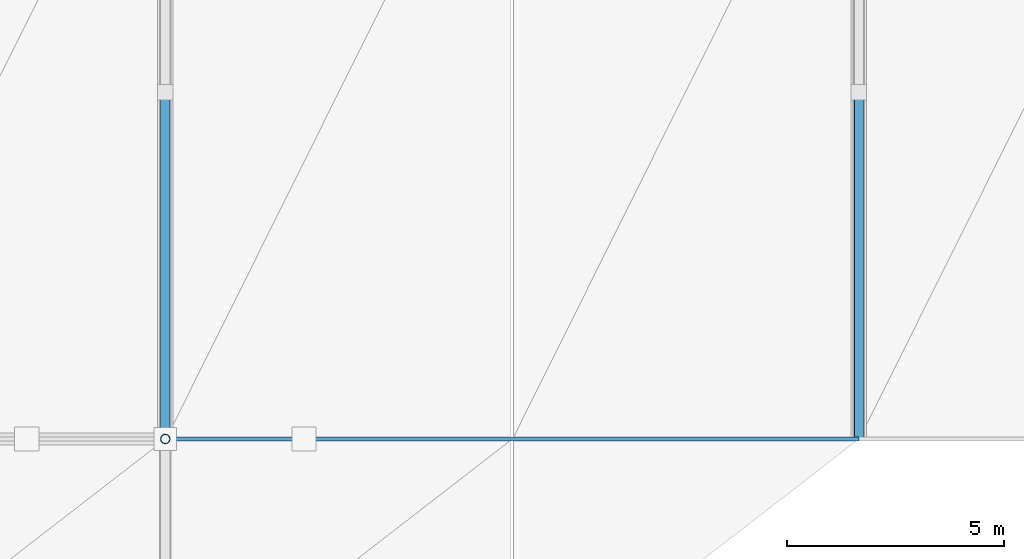
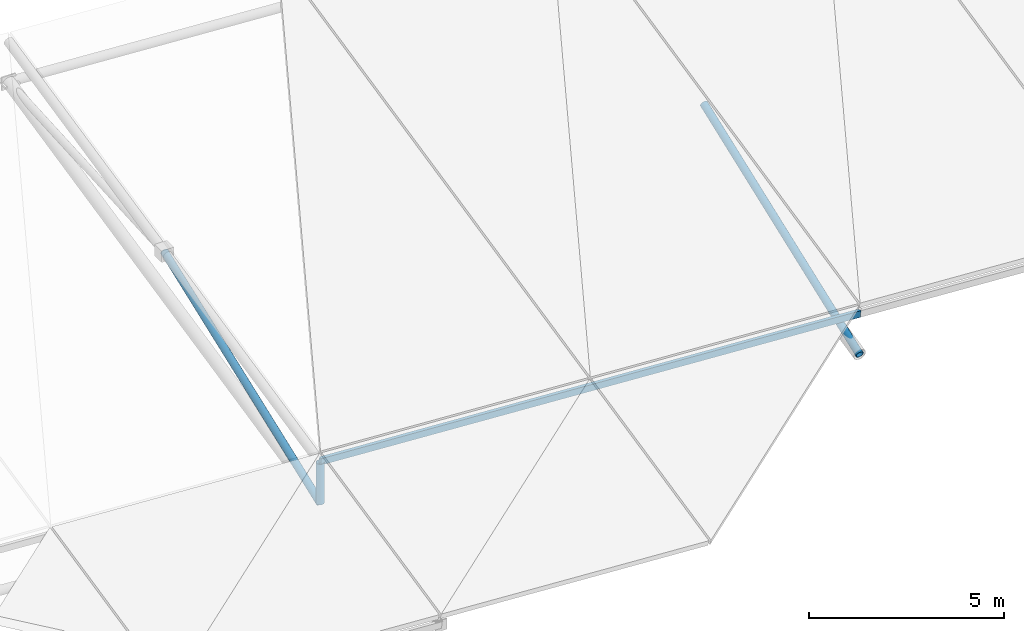
# One storey, part 27 of 67: 4 members.
"""IFC4 building model written with IfcOpenShell, lengths in metres."""

from ifc_helpers import new_model, si_unit, direction, frame, origin, origin_2d, place, context, subcontext, project, spatial, hollow_rectangle, hollow_circle, extrude, material, material_profile, profile_set, type_object, element, save


model = new_model("IFC4")

# Units and contexts
model_context = context("Model", 3, precision=1e-05, world=origin(), true_north=direction((0.0, 1.0)))
body_context = subcontext(model_context, "Body", "Model", "MODEL_VIEW")
ifc_project = project(units=[si_unit("LENGTHUNIT", "METRE"), si_unit("AREAUNIT", "SQUARE_METRE"), si_unit("VOLUMEUNIT", "CUBIC_METRE"), si_unit("PLANEANGLEUNIT", "RADIAN"), si_unit("MASSUNIT", "GRAM", prefix="KILO")], contexts=[model_context])

# Site, building, storey
site_placement = place(None, origin())
site = spatial("IfcSite", under=ifc_project, at=site_placement, CompositionType="ELEMENT")
building_placement = place(site_placement, origin())
building = spatial("IfcBuilding", under=site, at=building_placement, Name="Drelvath Fold Interchange", CompositionType="ELEMENT")
storey_placement = place(building_placement, frame((0.0, 0.0, 15.60009765625)))
storey = spatial("IfcBuildingStorey", under=building, at=storey_placement, Name="L03", CompositionType="ELEMENT", Elevation=15.60009765625)

# Members
ifc_material = material(Name="Steel ASTM A500 Grade C", Category="steel")
ifc_material_profile_1 = material_profile(ifc_material, hollow_rectangle(XDim=0.10205078125, YDim=0.202880859375, WallThickness=0.00732421875, at=origin_2d()), Name="HSS8X4X5/16")
ifc_profile_set_1 = profile_set([ifc_material_profile_1], Name="Steel ASTM A500 Grade C")
member_type_1 = type_object("IfcMemberType", Name="PR-HSS203", PredefinedType="PURLIN", material=ifc_profile_set_1)
member_1_placement = place(storey_placement, frame((134.0, 27.0, 1.476806640625), z_axis=(0.998194047838, 0.0, -0.060071980662), x_axis=(0.0, 1.0, 0.0)))
element("IfcMember", 1, at=member_1_placement, inside=storey, type_object=member_type_1, Name="L03 Space frame canopy purlin PR-HSS203", PredefinedType="PURLIN", context=body_context, shape_type="SweptSolid", body=[
    extrude(hollow_rectangle(XDim=0.10205078125, YDim=0.202880859375, WallThickness=0.00732421875, at=origin_2d()), origin(), (0.0, 0.0, 1.0), 16.029052734375),
])
ifc_material_profile_2 = material_profile(ifc_material, hollow_circle(Radius=0.109619140625, WallThickness=0.0087890625, at=origin_2d()), Name="HSS8.625X0.375")
ifc_profile_set_2 = profile_set([ifc_material_profile_2], Name="Steel ASTM A500 Grade C")
member_type_2 = type_object("IfcMemberType", Name="SF-WEB219", PredefinedType="BRACE", material=ifc_profile_set_2)
member_2_placement = place(storey_placement, frame((134.0, 27.0, 0.1748046875), z_axis=(0.0, 0.935783496416, 0.352575166222), x_axis=(-1.0, 0.0, 0.0)))
element("IfcMember", 2, at=member_2_placement, inside=storey, type_object=member_type_2, Name="L03 Space frame roof truss web brace SF-WEB219", PredefinedType="BRACE", context=body_context, shape_type="SweptSolid", body=[
    extrude(hollow_circle(Radius=0.109619140625, WallThickness=0.0087890625, at=origin_2d()), origin(), (0.0, 0.0, 1.0), 8.549072265625),
])
member_3_placement = place(storey_placement, frame((134.0, 27.0, 0.1748046875), z_axis=(0.0, 0.0, 1.0), x_axis=(1.0, 0.0, 0.0)))
element("IfcMember", 3, at=member_3_placement, inside=storey, type_object=member_type_2, Name="L03 Space frame roof truss web brace SF-WEB219", PredefinedType="BRACE", context=body_context, shape_type="SweptSolid", body=[
    extrude(hollow_circle(Radius=0.109619140625, WallThickness=0.0087890625, at=origin_2d()), origin(), (0.0, 0.0, 1.0), 1.27001953125),
])
member_4_placement = place(storey_placement, frame((150.0, 27.0, -0.7880859375), z_axis=(0.0, 0.935792918381, 0.352550158002), x_axis=(-1.0, 0.0, 0.0)))
element("IfcMember", 4, at=member_4_placement, inside=storey, type_object=member_type_2, Name="L03 Space frame roof truss web brace SF-WEB219", PredefinedType="BRACE", context=body_context, shape_type="SweptSolid", body=[
    extrude(hollow_circle(Radius=0.109619140625, WallThickness=0.0087890625, at=origin_2d()), origin(), (0.0, 0.0, 1.0), 8.548828125),
])

save(model, "model.ifc")
